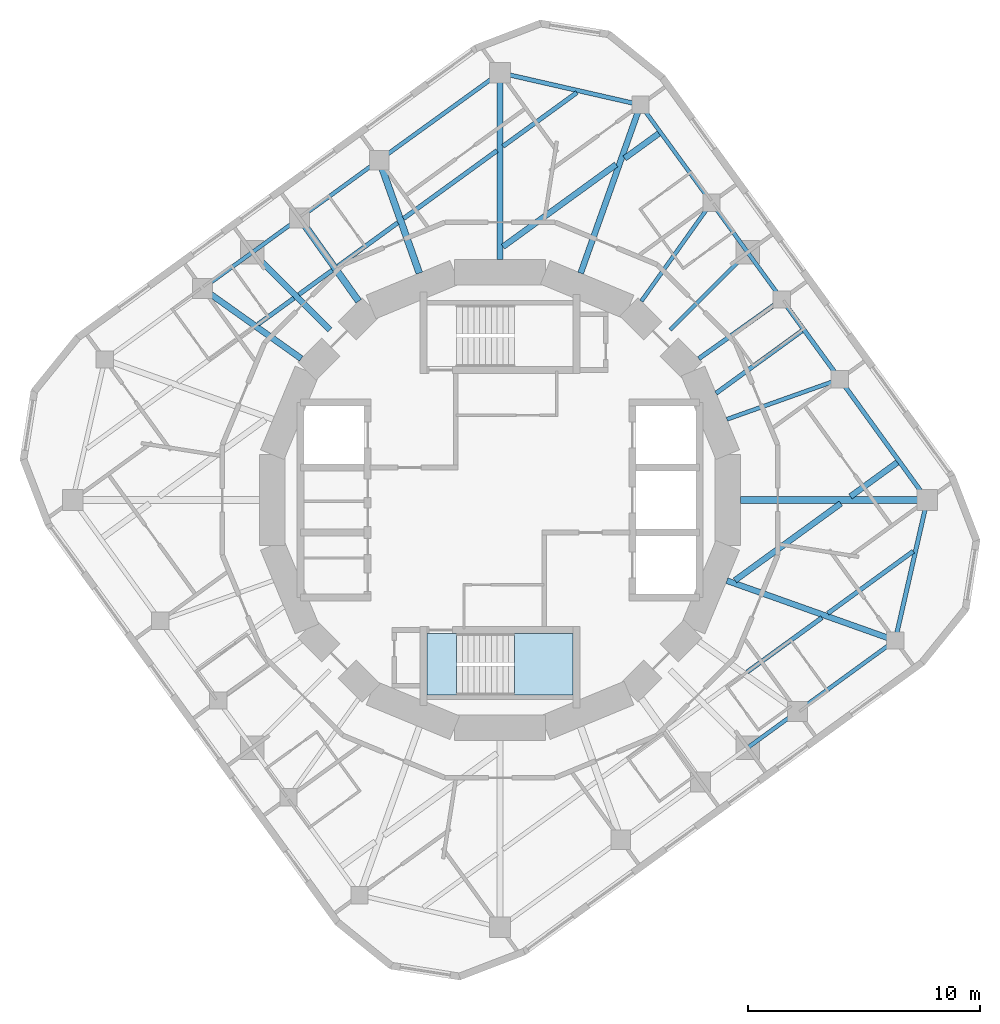
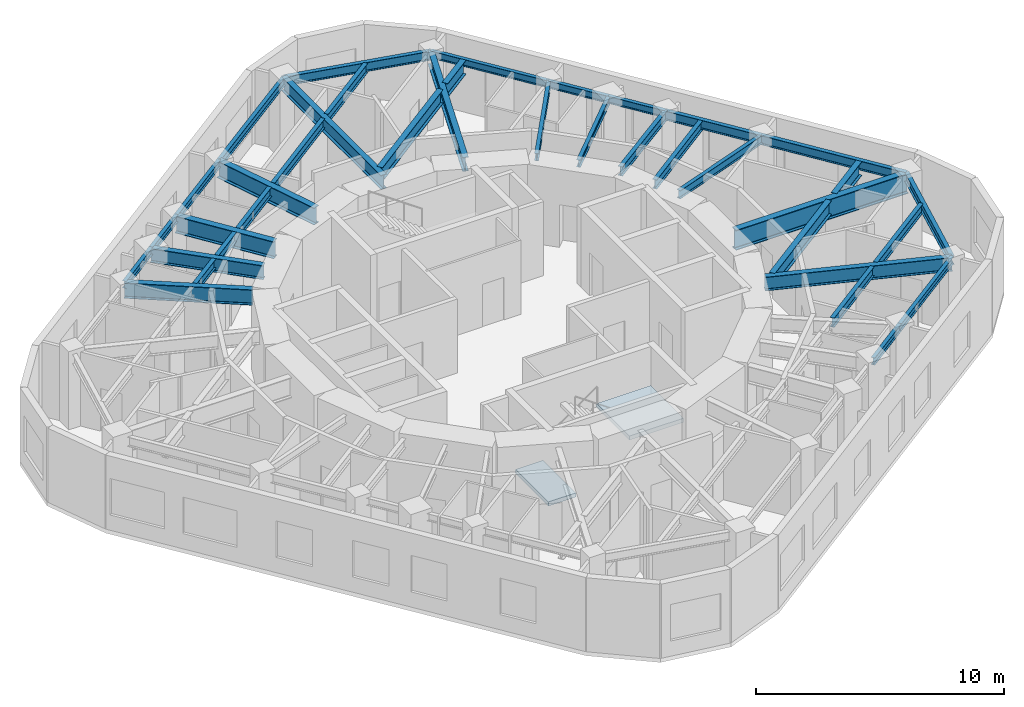
# One storey, part 2 of 9: 37 beams, 2 slabs, 1 element without a shape of its own.
"""IFC4 building model written with IfcOpenShell, lengths in metres."""

import ifcopenshell
import ifcopenshell.guid

model = None  # the IFC model being written
_history = None  # IfcOwnerHistory: only IFC2X3 demands one
_inside = {}  # id of a spatial element -> (the spatial element, [elements in it])
_under = {}  # id of a project, library or spatial element -> (it, [spatial elements below it])
_declared = {}  # id of a project -> (the project, [libraries it declares])
_typed = {}  # id of a type object -> (the type object, [elements of that type])
_made_of = {}  # id of a material, layer set ... -> (it, [elements and type objects made of it])


def new_model(schema):
    """Start an empty IFC model of exactly this schema.

    Asked for "IFC4X3", IfcOpenShell would pick the latest addendum, in which some entities
    have other attributes; the version numbers below select the first issue.
    IFC2X3 requires an IfcOwnerHistory on every rooted entity: one is made here for all.
    """
    global model, _history
    if schema == "IFC4X3":
        model = ifcopenshell.file(schema_version=(4, 3, 0, 0))
    else:
        model = ifcopenshell.file(schema=schema)
    _inside.clear()
    _under.clear()
    _declared.clear()
    _typed.clear()
    _made_of.clear()
    _history = None
    if model.schema == "IFC2X3":
        org = make("IfcOrganization", Name="unknown")
        user = make(
            "IfcPersonAndOrganization",
            ThePerson=make("IfcPerson", FamilyName="unknown"),
            TheOrganization=org,
        )
        app = make(
            "IfcApplication",
            ApplicationDeveloper=org,
            Version="unknown",
            ApplicationFullName="unknown",
            ApplicationIdentifier="unknown",
        )
        _history = make(
            "IfcOwnerHistory",
            OwningUser=user,
            OwningApplication=app,
            ChangeAction="ADDED",
            CreationDate=0,
        )
    return model


def make(cls, **values):
    """One entity of the class cls with the attributes given. An attribute that is None is left unset."""
    return model.create_entity(
        cls, **{name: value for name, value in values.items() if value is not None}
    )


def rooted(cls, **values):
    """An entity with a GlobalId (a new one), such as an element, a storey or a relation."""
    return make(cls, GlobalId=ifcopenshell.guid.new(), OwnerHistory=_history, **values)


def si_unit(unit_type, name, prefix=None):
    """IfcSIUnit, for example si_unit("LENGTHUNIT", "METRE", prefix="MILLI")."""
    return make("IfcSIUnit", UnitType=unit_type, Prefix=prefix, Name=name)


def assignment(units):
    """IfcUnitAssignment: the units of a project."""
    return None if units is None else make("IfcUnitAssignment", Units=units)


def point(xyz):
    """IfcCartesianPoint."""
    return None if xyz is None else make("IfcCartesianPoint", Coordinates=xyz)


def direction(xyz):
    """IfcDirection."""
    return None if xyz is None else make("IfcDirection", DirectionRatios=xyz)


def frame(location, z_axis=None, x_axis=None):
    """IfcAxis2Placement3D, a coordinate frame: its origin and axes. An axis left out is left unset."""
    return make(
        "IfcAxis2Placement3D",
        Location=point(location),
        Axis=direction(z_axis),
        RefDirection=direction(x_axis),
    )


def frame_2d(location, x_axis=None):
    """IfcAxis2Placement2D, a coordinate frame in the plane: its origin and x axis."""
    return make(
        "IfcAxis2Placement2D", Location=point(location), RefDirection=direction(x_axis)
    )


def origin():
    """The frame at (0, 0, 0) with its axes left unset."""
    return frame((0.0, 0.0, 0.0))


def origin_2d():
    """The frame at (0, 0) in the plane with its x axis left unset."""
    return frame_2d((0.0, 0.0))


def place(relative_to, where):
    """IfcLocalPlacement: puts the frame where relative to a parent placement (None: the world)."""
    return make(
        "IfcLocalPlacement", PlacementRelTo=relative_to, RelativePlacement=where
    )


def context(
    kind, dimensions, precision=None, world=None, true_north=None, identifier=None
):
    """IfcGeometricRepresentationContext, for example the 3D "Model" context."""
    return make(
        "IfcGeometricRepresentationContext",
        ContextIdentifier=identifier,
        ContextType=kind,
        CoordinateSpaceDimension=dimensions,
        Precision=precision,
        WorldCoordinateSystem=world,
        TrueNorth=true_north,
    )


def subcontext(parent, identifier, kind, view, scale=None):
    """IfcGeometricRepresentationSubContext, for example "Body" below "Model"."""
    return make(
        "IfcGeometricRepresentationSubContext",
        ContextIdentifier=identifier,
        ContextType=kind,
        ParentContext=parent,
        TargetScale=scale,
        TargetView=view,
    )


def project(units=None, contexts=None):
    """IfcProject with its units and contexts."""
    return rooted(
        "IfcProject",
        Name="project",
        RepresentationContexts=contexts,
        UnitsInContext=assignment(units),
    )


def spatial(cls, under=None, at=None, **own):
    """A site, building, storey or space (cls), placed at a placement, below another one or the project."""
    s = rooted(cls, ObjectPlacement=at, **own)
    if under is not None:
        _under.setdefault(under.id(), (under, []))[1].append(s)
    return s


def polyline(points):
    """IfcPolyline through the points."""
    return make("IfcPolyline", Points=[point(p) for p in points])


def profile(cls, at=None, kind="AREA", **sizes):
    """A parametric profile (cls). Its sizes go by their IFC names, for example OverallWidth=200.0."""
    return make(cls, ProfileType=kind, Position=at, **sizes)


def i_section(**sizes):
    """IfcIShapeProfileDef."""
    return profile("IfcIShapeProfileDef", **sizes)


def outline(outer, holes=None, kind="AREA"):
    """IfcArbitraryClosedProfileDef: a profile drawn as a closed curve; with holes, ...WithVoids."""
    if holes is None:
        return make("IfcArbitraryClosedProfileDef", ProfileType=kind, OuterCurve=outer)
    return make(
        "IfcArbitraryProfileDefWithVoids",
        ProfileType=kind,
        OuterCurve=outer,
        InnerCurves=holes,
    )


def extrude(swept, where, along, depth):
    """IfcExtrudedAreaSolid: the profile swept, set in the frame where, extruded along a direction by depth."""
    return make(
        "IfcExtrudedAreaSolid",
        SweptArea=swept,
        Position=where,
        ExtrudedDirection=direction(along),
        Depth=depth,
    )


def shape(context_of_items, identifier, shape_type, items):
    """IfcShapeRepresentation: the items that make up one representation, for example the "Body"."""
    return make(
        "IfcShapeRepresentation",
        ContextOfItems=context_of_items,
        RepresentationIdentifier=identifier,
        RepresentationType=shape_type,
        Items=items,
    )


def material(Name=None, Category=None):
    """IfcMaterial."""
    return make("IfcMaterial", Name=Name, Category=Category)


def layer(
    of_material, thickness, ventilated=None, Name=None, Category=None, Priority=None
):
    """IfcMaterialLayer: one layer of a wall or slab, of a material (None: an air gap)."""
    return make(
        "IfcMaterialLayer",
        Material=of_material,
        LayerThickness=thickness,
        IsVentilated=ventilated,
        Name=Name,
        Category=Category,
        Priority=Priority,
    )


def layer_set(layers, Name=None):
    """IfcMaterialLayerSet."""
    return make("IfcMaterialLayerSet", MaterialLayers=layers, LayerSetName=Name)


def material_profile(
    of_material, cross_section, Name=None, Category=None, Priority=None
):
    """IfcMaterialProfile: a cross section and its material."""
    return make(
        "IfcMaterialProfile",
        Name=Name,
        Material=of_material,
        Profile=cross_section,
        Priority=Priority,
        Category=Category,
    )


def profile_set(profiles, Name=None, composite=None):
    """IfcMaterialProfileSet."""
    return make(
        "IfcMaterialProfileSet",
        Name=Name,
        MaterialProfiles=profiles,
        CompositeProfile=composite,
    )


def made_of(thing, what):
    """Note that an element or type object is made of a material, layer set ...; save() writes the relation."""
    if what is not None:
        _made_of.setdefault(what.id(), (what, []))[1].append(thing)
    return thing


def type_object(cls, material=None, **own):
    """A type object (cls), such as IfcWallType, which elements share."""
    return made_of(rooted(cls, **own), material)


def element(
    cls,
    number,
    at=None,
    inside=None,
    cuts=None,
    type_object=None,
    material=None,
    context=None,
    identifier="Body",
    shape_type=None,
    held_by="IfcProductDefinitionShape",
    body=None,
    shapes=None,
    **own,
):
    """One element of the class cls, such as IfcWall. Its Tag is "e" and its number.

    at: its placement. inside: the storey or other place that contains it. cuts: it is an
    opening in that element (IfcRelVoidsElement). A single representation is given by context,
    identifier, shape_type and body (its items); several are given by shapes. held_by: the class
    of the entity that holds the representations. save() writes the other relations.
    """
    e = rooted(cls, Tag="e%d" % number, ObjectPlacement=at, **own)
    if body is not None:
        shapes = [shape(context, identifier, shape_type, body)]
    if shapes is not None:
        e.Representation = make(held_by, Representations=shapes)
    if inside is not None:
        _inside.setdefault(inside.id(), (inside, []))[1].append(e)
    if cuts is not None:
        rooted(
            "IfcRelVoidsElement", RelatingBuildingElement=cuts, RelatedOpeningElement=e
        )
    if type_object is not None:
        _typed.setdefault(type_object.id(), (type_object, []))[1].append(e)
    return made_of(e, material)


def aggregate(whole, parts):
    """IfcRelAggregates: a whole, such as a stair, and the parts it consists of."""
    return rooted("IfcRelAggregates", RelatingObject=whole, RelatedObjects=parts)


def save(model, path):
    """Write the relations noted so far, then the file.

    IfcRelAggregates (storeys below a building ...), IfcRelContainedInSpatialStructure (elements
    in a storey), IfcRelDefinesByType, IfcRelAssociatesMaterial and IfcRelDeclares: one each for
    every whole, place, type object, material and project.
    """
    for whole, parts in _under.values():
        aggregate(whole, parts)
    for where, things in _inside.values():
        rooted(
            "IfcRelContainedInSpatialStructure",
            RelatedElements=things,
            RelatingStructure=where,
        )
    for kind, things in _typed.values():
        rooted("IfcRelDefinesByType", RelatedObjects=things, RelatingType=kind)
    for what, things in _made_of.values():
        rooted("IfcRelAssociatesMaterial", RelatedObjects=things, RelatingMaterial=what)
    for by, libraries in _declared.values():
        rooted("IfcRelDeclares", RelatingContext=by, RelatedDefinitions=libraries)
    model.write(path)


model = new_model("IFC4")

# Units and contexts
model_context = context("Model", 3, precision=1e-05, world=origin(), true_north=direction((0.0, 1.0)))
body_context = subcontext(model_context, "Body", "Model", "MODEL_VIEW")
ifc_project = project(units=[si_unit("LENGTHUNIT", "METRE"), si_unit("AREAUNIT", "SQUARE_METRE"), si_unit("VOLUMEUNIT", "CUBIC_METRE"), si_unit("PLANEANGLEUNIT", "RADIAN"), si_unit("MASSUNIT", "GRAM", prefix="KILO")], contexts=[model_context])

# Site, building, storey
site_placement = place(None, origin())
site = spatial("IfcSite", under=ifc_project, at=site_placement, CompositionType="ELEMENT")
building_placement = place(site_placement, origin())
building = spatial("IfcBuilding", under=site, at=building_placement, Name="Nakasero Lantern House", CompositionType="ELEMENT")
storey_placement = place(building_placement, frame((0.0, 0.0, 290.699951171875)))
storey = spatial("IfcBuildingStorey", under=building, at=storey_placement, Name="L71", CompositionType="ELEMENT", Elevation=290.699951171875)

# Beams
ifc_material_1 = material(Name="Steel S355", Category="steel")
ifc_material_profile_1 = material_profile(ifc_material_1, i_section(OverallWidth=0.19140625, OverallDepth=0.4599609375, WebThickness=0.010009765625, FlangeThickness=0.01611328125, FilletRadius=0.01025390625, at=origin_2d()), Name="UB 457x191x82")
ifc_profile_set_1 = profile_set([ifc_material_profile_1], Name="Steel S355")
beam_type_1 = type_object("IfcBeamType", Name="Infill beam UB 457x191x82", PredefinedType="JOIST", material=ifc_profile_set_1)
beam_1_placement = place(storey_placement, frame((10.6416015625, -7.410400390625, 3.420166015625), z_axis=(0.809000670398, 0.587807719663, 0.0), x_axis=(-0.587807719663, 0.809000670398, 0.0)))
element("IfcBeam", 1, at=beam_1_placement, inside=storey, type_object=beam_type_1, Name="Infill beam L72 03.6", PredefinedType="JOIST", context=body_context, shape_type="SweptSolid", body=[
    extrude(i_section(OverallWidth=0.19140625, OverallDepth=0.4599609375, WebThickness=0.010009765625, FlangeThickness=0.01611328125, FilletRadius=0.01025390625, at=origin_2d()), origin(), (0.0, 0.0, 1.0), 3.989013671875),
])
beam_2_placement = place(storey_placement, frame((14.117431640625, -4.885009765625, 3.420166015625), z_axis=(0.80901210161, 0.587791986546, 0.0), x_axis=(-0.587791986546, 0.80901210161, 0.0)))
element("IfcBeam", 2, at=beam_2_placement, inside=storey, type_object=beam_type_1, Name="Infill beam L72 03.7", PredefinedType="JOIST", context=body_context, shape_type="SweptSolid", body=[
    extrude(i_section(OverallWidth=0.19140625, OverallDepth=0.4599609375, WebThickness=0.010009765625, FlangeThickness=0.01611328125, FilletRadius=0.01025390625, at=origin_2d()), origin(), (0.0, 0.0, 1.0), 4.55029296875),
])
beam_3_placement = place(storey_placement, frame((9.306396484375, 4.598388671875, 3.420166015625), z_axis=(0.809017640959, 0.587784362344, 0.0), x_axis=(-0.587784362344, 0.809017640959, 0.0)))
element("IfcBeam", 3, at=beam_3_placement, inside=storey, type_object=beam_type_1, Name="Infill beam L72 06.1", PredefinedType="JOIST", context=body_context, shape_type="SweptSolid", body=[
    extrude(i_section(OverallWidth=0.19140625, OverallDepth=0.4599609375, WebThickness=0.010009765625, FlangeThickness=0.01611328125, FilletRadius=0.01025390625, at=origin_2d()), origin(), (0.0, 0.0, 1.0), 4.572998046875),
])
beam_4_placement = place(storey_placement, frame((-10.41845703125, 7.572265625, 3.420166015625), z_axis=(0.809012638294, 0.587791247877, 0.0), x_axis=(-0.587791247877, 0.809012638294, 0.0)))
element("IfcBeam", 4, at=beam_4_placement, inside=storey, type_object=beam_type_1, Name="Infill beam L72 10.3", PredefinedType="JOIST", context=body_context, shape_type="SweptSolid", body=[
    extrude(i_section(OverallWidth=0.19140625, OverallDepth=0.4599609375, WebThickness=0.010009765625, FlangeThickness=0.01611328125, FilletRadius=0.01025390625, at=origin_2d()), origin(), (0.0, 0.0, 1.0), 1.908203125),
])
beam_5_placement = place(storey_placement, frame((-8.665283203125, 8.84619140625, 3.420166015625), z_axis=(0.809060510352, 0.587725353025, 0.0), x_axis=(-0.587725353025, 0.809060510352, 0.0)))
element("IfcBeam", 5, at=beam_5_placement, inside=storey, type_object=beam_type_1, Name="Infill beam L72 10.4", PredefinedType="JOIST", context=body_context, shape_type="SweptSolid", body=[
    extrude(i_section(OverallWidth=0.19140625, OverallDepth=0.4599609375, WebThickness=0.010009765625, FlangeThickness=0.01611328125, FilletRadius=0.01025390625, at=origin_2d()), origin(), (0.0, 0.0, 1.0), 1.7890625),
])
beam_6_placement = place(storey_placement, frame((-6.981201171875, 10.069580078125, 3.420166015625), z_axis=(0.809014147131, 0.587789171167, 0.0), x_axis=(-0.587789171167, 0.809014147131, 0.0)))
element("IfcBeam", 6, at=beam_6_placement, inside=storey, type_object=beam_type_1, Name="Infill beam L72 10.5", PredefinedType="JOIST", context=body_context, shape_type="SweptSolid", body=[
    extrude(i_section(OverallWidth=0.19140625, OverallDepth=0.4599609375, WebThickness=0.010009765625, FlangeThickness=0.01611328125, FilletRadius=0.01025390625, at=origin_2d()), origin(), (0.0, 0.0, 1.0), 3.188232421875),
])
beam_7_placement = place(storey_placement, frame((-4.1552734375, 12.122802734375, 3.420166015625), z_axis=(0.809018056479, 0.587783790428, 0.0), x_axis=(-0.587783790428, 0.809018056479, 0.0)))
element("IfcBeam", 7, at=beam_7_placement, inside=storey, type_object=beam_type_1, Name="Infill beam L72 10.6", PredefinedType="JOIST", context=body_context, shape_type="SweptSolid", body=[
    extrude(i_section(OverallWidth=0.19140625, OverallDepth=0.4599609375, WebThickness=0.010009765625, FlangeThickness=0.01611328125, FilletRadius=0.01025390625, at=origin_2d()), origin(), (0.0, 0.0, 1.0), 4.97802734375),
])
beam_8_placement = place(storey_placement, frame((0.1279296875, 15.23486328125, 3.420166015625), z_axis=(0.809028442836, 0.587769494515, 0.0), x_axis=(-0.587769494515, 0.809028442836, 0.0)))
element("IfcBeam", 8, at=beam_8_placement, inside=storey, type_object=beam_type_1, Name="Infill beam L72 10.7", PredefinedType="JOIST", context=body_context, shape_type="SweptSolid", body=[
    extrude(i_section(OverallWidth=0.19140625, OverallDepth=0.4599609375, WebThickness=0.010009765625, FlangeThickness=0.01611328125, FilletRadius=0.01025390625, at=origin_2d()), origin(), (0.0, 0.0, 1.0), 3.934814453125),
])
ifc_material_2 = material(Name="Steel S355", Category="steel")
ifc_material_profile_2 = material_profile(ifc_material_2, i_section(OverallWidth=0.255859375, OverallDepth=0.69287109375, WebThickness=0.014404296875, FlangeThickness=0.023681640625, FilletRadius=0.01513671875, at=origin_2d()), Name="UB 686x254x170")
ifc_profile_set_2 = profile_set([ifc_material_profile_2], Name="Steel S355")
beam_type_2 = type_object("IfcBeamType", Name="Infill beam UB 686x254x170", PredefinedType="JOIST", material=ifc_profile_set_2)
beam_9_placement = place(storey_placement, frame((10.119384765625, -3.46337890625, 3.3037109375), z_axis=(0.809013172462, 0.587790512669, 0.0), x_axis=(-0.587790512669, 0.809013172462, 0.0)))
element("IfcBeam", 9, at=beam_9_placement, inside=storey, type_object=beam_type_2, Name="Infill beam L72 04.3", PredefinedType="JOIST", context=body_context, shape_type="SweptSolid", body=[
    extrude(i_section(OverallWidth=0.255859375, OverallDepth=0.69287109375, WebThickness=0.014404296875, FlangeThickness=0.023681640625, FilletRadius=0.01513671875, at=origin_2d()), origin(), (0.0, 0.0, 1.0), 5.63720703125),
])
beam_10_placement = place(storey_placement, frame((15.0927734375, 0.14990234375, 3.3037109375), z_axis=(0.809015124384, 0.587787826106, 0.0), x_axis=(-0.587787826106, 0.809015124384, 0.0)))
element("IfcBeam", 10, at=beam_10_placement, inside=storey, type_object=beam_type_2, Name="Infill beam L72 04.4", PredefinedType="JOIST", context=body_context, shape_type="SweptSolid", body=[
    extrude(i_section(OverallWidth=0.255859375, OverallDepth=0.69287109375, WebThickness=0.014404296875, FlangeThickness=0.023681640625, FilletRadius=0.01513671875, at=origin_2d()), origin(), (0.0, 0.0, 1.0), 2.496337890625),
])
beam_11_placement = place(storey_placement, frame((0.1279296875, 10.908447265625, 3.3037109375), z_axis=(0.809011117524, 0.587793340998, 0.0), x_axis=(-0.587793340998, 0.809011117524, 0.0)))
element("IfcBeam", 11, at=beam_11_placement, inside=storey, type_object=beam_type_2, Name="Infill beam L72 09.3", PredefinedType="JOIST", context=body_context, shape_type="SweptSolid", body=[
    extrude(i_section(OverallWidth=0.255859375, OverallDepth=0.69287109375, WebThickness=0.014404296875, FlangeThickness=0.023681640625, FilletRadius=0.01513671875, at=origin_2d()), origin(), (0.0, 0.0, 1.0), 6.024658203125),
])
beam_12_placement = place(storey_placement, frame((5.367919921875, 14.715576171875, 3.3037109375), z_axis=(0.809025740158, 0.587773214566, 0.0), x_axis=(-0.587773214566, 0.809025740158, 0.0)))
element("IfcBeam", 12, at=beam_12_placement, inside=storey, type_object=beam_type_2, Name="Infill beam L72 09.4", PredefinedType="JOIST", context=body_context, shape_type="SweptSolid", body=[
    extrude(i_section(OverallWidth=0.255859375, OverallDepth=0.69287109375, WebThickness=0.014404296875, FlangeThickness=0.023681640625, FilletRadius=0.01513671875, at=origin_2d()), origin(), (0.0, 0.0, 1.0), 1.82177734375),
])
ifc_material_3 = material(Name="Steel S355", Category="steel")
ifc_material_profile_3 = material_profile(ifc_material_3, i_section(OverallWidth=0.300048828125, OverallDepth=0.989990234375, WebThickness=0.0166015625, FlangeThickness=0.031005859375, FilletRadius=0.030029296875, at=origin_2d()), Name="UB 1016x305x272")
ifc_profile_set_3 = profile_set([ifc_material_profile_3], Name="Steel S355")
beam_type_3 = type_object("IfcBeamType", Name="Primary beam UB 1016x305x272, span 6 to 9 m", PredefinedType="BEAM", material=ifc_profile_set_3)
beam_13_placement = place(storey_placement, frame((18.39990234375, 0.0, 3.155029296875), z_axis=(-1.0, 0.0, 0.0), x_axis=(0.0, -1.0, 0.0)))
element("IfcBeam", 13, at=beam_13_placement, inside=storey, type_object=beam_type_3, Name="Primary beam L72 B7-C03", PredefinedType="BEAM", context=body_context, shape_type="SweptSolid", body=[
    extrude(i_section(OverallWidth=0.300048828125, OverallDepth=0.989990234375, WebThickness=0.0166015625, FlangeThickness=0.031005859375, FilletRadius=0.030029296875, at=origin_2d()), origin(), (0.0, 0.0, 1.0), 8.0419921875),
])
ifc_material_4 = material(Name="Steel S355", Category="steel")
ifc_material_profile_4 = material_profile(ifc_material_4, i_section(OverallWidth=0.17138671875, OverallDepth=0.35498046875, WebThickness=0.00732421875, FlangeThickness=0.011474609375, FilletRadius=0.01025390625, at=origin_2d()), Name="UB 356x171x51")
ifc_profile_set_4 = profile_set([ifc_material_profile_4], Name="Steel S355")
beam_type_4 = type_object("IfcBeamType", Name="Primary beam UB 356x171x51, span to 6 m", PredefinedType="BEAM", material=ifc_profile_set_4)
beam_14_placement = place(storey_placement, frame((10.667236328125, 10.667236328125, 3.47265625), z_axis=(-0.707106781187, -0.707106781187, 0.0), x_axis=(0.707106781187, -0.707106781187, 0.0)))
element("IfcBeam", 14, at=beam_14_placement, inside=storey, type_object=beam_type_4, Name="Primary beam L72 B7-C06", PredefinedType="BEAM", context=body_context, shape_type="SweptSolid", body=[
    extrude(i_section(OverallWidth=0.17138671875, OverallDepth=0.35498046875, WebThickness=0.00732421875, FlangeThickness=0.011474609375, FilletRadius=0.01025390625, at=origin_2d()), origin(), (0.0, 0.0, 1.0), 4.727783203125),
])
beam_15_placement = place(storey_placement, frame((9.10986328125, 12.810791015625, 3.47265625), z_axis=(-0.579500985986, -0.814971537688, 0.0), x_axis=(0.814971537688, -0.579500985986, 0.0)))
element("IfcBeam", 15, at=beam_15_placement, inside=storey, type_object=beam_type_4, Name="Primary beam L72 B7-C07", PredefinedType="BEAM", context=body_context, shape_type="SweptSolid", body=[
    extrude(i_section(OverallWidth=0.17138671875, OverallDepth=0.35498046875, WebThickness=0.00732421875, FlangeThickness=0.011474609375, FilletRadius=0.01025390625, at=origin_2d()), origin(), (0.0, 0.0, 1.0), 5.215087890625),
])
ifc_material_5 = material(Name="Steel S355", Category="steel")
ifc_material_profile_5 = material_profile(ifc_material_5, i_section(OverallWidth=0.177978515625, OverallDepth=0.406494140625, WebThickness=0.0078125, FlangeThickness=0.0126953125, FilletRadius=0.01025390625, at=origin_2d()), Name="UB 406x178x60")
ifc_profile_set_5 = profile_set([ifc_material_profile_5], Name="Steel S355")
beam_type_5 = type_object("IfcBeamType", Name="Primary beam UB 406x178x60, span to 6 m", PredefinedType="BEAM", material=ifc_profile_set_5)
beam_16_placement = place(storey_placement, frame((14.636474609375, 5.2041015625, 3.44677734375), z_axis=(-0.942221324153, -0.3349910093, 0.0), x_axis=(0.3349910093, -0.942221324153, 0.0)))
element("IfcBeam", 16, at=beam_16_placement, inside=storey, type_object=beam_type_5, Name="Primary beam L72 B7-C04", PredefinedType="BEAM", context=body_context, shape_type="SweptSolid", body=[
    extrude(i_section(OverallWidth=0.177978515625, OverallDepth=0.406494140625, WebThickness=0.0078125, FlangeThickness=0.0126953125, FilletRadius=0.01025390625, at=origin_2d()), origin(), (0.0, 0.0, 1.0), 5.162841796875),
])
ifc_material_6 = material(Name="Steel S355", Category="steel")
ifc_material_profile_6 = material_profile(ifc_material_6, i_section(OverallWidth=0.19140625, OverallDepth=0.4599609375, WebThickness=0.010009765625, FlangeThickness=0.01611328125, FilletRadius=0.01025390625, at=origin_2d()), Name="UB 457x191x82")
ifc_profile_set_6 = profile_set([ifc_material_profile_6], Name="Steel S355")
beam_type_6 = type_object("IfcBeamType", Name="Primary beam UB 457x191x82, span to 6 m", PredefinedType="BEAM", material=ifc_profile_set_6)
beam_17_placement = place(storey_placement, frame((12.1435546875, 8.63525390625, 3.420166015625), z_axis=(-0.814988544116, -0.579477068537, 0.0), x_axis=(0.579477068537, -0.814988544116, 0.0)))
element("IfcBeam", 17, at=beam_17_placement, inside=storey, type_object=beam_type_6, Name="Primary beam L72 B7-C05", PredefinedType="BEAM", context=body_context, shape_type="SweptSolid", body=[
    extrude(i_section(OverallWidth=0.19140625, OverallDepth=0.4599609375, WebThickness=0.010009765625, FlangeThickness=0.01611328125, FilletRadius=0.01025390625, at=origin_2d()), origin(), (0.0, 0.0, 1.0), 4.396484375),
])
ifc_material_7 = material(Name="Steel S355", Category="steel")
ifc_material_profile_7 = material_profile(ifc_material_7, i_section(OverallWidth=0.253662109375, OverallDepth=0.68359375, WebThickness=0.012451171875, FlangeThickness=0.01904296875, FilletRadius=0.01513671875, at=origin_2d()), Name="UB 686x254x140")
ifc_profile_set_7 = profile_set([ifc_material_profile_7], Name="Steel S355")
beam_type_7 = type_object("IfcBeamType", Name="Primary beam UB 686x254x140, span 6 to 9 m", PredefinedType="BEAM", material=ifc_profile_set_7)
beam_18_placement = place(storey_placement, frame((17.02001953125, -6.051513671875, 3.308349609375), z_axis=(-0.942222036561, 0.334989005521, 0.0), x_axis=(-0.334989005521, -0.942222036561, 0.0)))
element("IfcBeam", 18, at=beam_18_placement, inside=storey, type_object=beam_type_7, Name="Primary beam L72 B7-C02", PredefinedType="BEAM", context=body_context, shape_type="SweptSolid", body=[
    extrude(i_section(OverallWidth=0.253662109375, OverallDepth=0.68359375, WebThickness=0.012451171875, FlangeThickness=0.01904296875, FilletRadius=0.01513671875, at=origin_2d()), origin(), (0.0, 0.0, 1.0), 7.6923828125),
])
ifc_material_8 = material(Name="Steel S355", Category="steel")
ifc_material_profile_8 = material_profile(ifc_material_8, i_section(OverallWidth=0.255859375, OverallDepth=0.69287109375, WebThickness=0.014404296875, FlangeThickness=0.023681640625, FilletRadius=0.01513671875, at=origin_2d()), Name="UB 686x254x170")
ifc_profile_set_8 = profile_set([ifc_material_profile_8], Name="Steel S355")
beam_type_8 = type_object("IfcBeamType", Name="Primary beam UB 686x254x170, span 6 to 9 m", PredefinedType="BEAM", material=ifc_profile_set_8)
beam_19_placement = place(storey_placement, frame((6.051513671875, 17.02001953125, 3.3037109375), z_axis=(-0.334989005521, -0.942222036561, 0.0), x_axis=(0.942222036561, -0.334989005521, 0.0)))
element("IfcBeam", 19, at=beam_19_placement, inside=storey, type_object=beam_type_8, Name="Primary beam L72 B7-C08", PredefinedType="BEAM", context=body_context, shape_type="SweptSolid", body=[
    extrude(i_section(OverallWidth=0.255859375, OverallDepth=0.69287109375, WebThickness=0.014404296875, FlangeThickness=0.023681640625, FilletRadius=0.01513671875, at=origin_2d()), origin(), (0.0, 0.0, 1.0), 7.6923828125),
])
beam_20_placement = place(storey_placement, frame((0.0, 18.39990234375, 3.3037109375), z_axis=(0.0, -1.0, 0.0), x_axis=(1.0, 0.0, 0.0)))
element("IfcBeam", 20, at=beam_20_placement, inside=storey, type_object=beam_type_8, Name="Primary beam L72 B7-C09", PredefinedType="BEAM", context=body_context, shape_type="SweptSolid", body=[
    extrude(i_section(OverallWidth=0.255859375, OverallDepth=0.69287109375, WebThickness=0.014404296875, FlangeThickness=0.023681640625, FilletRadius=0.01513671875, at=origin_2d()), origin(), (0.0, 0.0, 1.0), 8.0419921875),
])
ifc_material_9 = material(Name="Steel S355", Category="steel")
ifc_material_profile_9 = material_profile(ifc_material_9, i_section(OverallWidth=0.255859375, OverallDepth=0.69287109375, WebThickness=0.014404296875, FlangeThickness=0.023681640625, FilletRadius=0.01513671875, at=origin_2d()), Name="UB 686x254x170")
ifc_profile_set_9 = profile_set([ifc_material_profile_9], Name="Steel S355")
beam_type_9 = type_object("IfcBeamType", Name="Primary beam UB 686x254x170, span to 6 m", PredefinedType="BEAM", material=ifc_profile_set_9)
beam_21_placement = place(storey_placement, frame((-10.667236328125, 10.667236328125, 3.3037109375), z_axis=(0.707106781187, -0.707106781187, 0.0), x_axis=(0.707106781187, 0.707106781187, 0.0)))
element("IfcBeam", 21, at=beam_21_placement, inside=storey, type_object=beam_type_9, Name="Primary beam L72 B7-C12", PredefinedType="BEAM", context=body_context, shape_type="SweptSolid", body=[
    extrude(i_section(OverallWidth=0.255859375, OverallDepth=0.69287109375, WebThickness=0.014404296875, FlangeThickness=0.023681640625, FilletRadius=0.01513671875, at=origin_2d()), origin(), (0.0, 0.0, 1.0), 4.727783203125),
])
ifc_material_10 = material(Name="Steel S355", Category="steel")
ifc_material_profile_10 = material_profile(ifc_material_10, i_section(OverallWidth=0.2666015625, OverallDepth=0.76220703125, WebThickness=0.014404296875, FlangeThickness=0.021484375, FilletRadius=0.0166015625, at=origin_2d()), Name="UB 762x267x173")
ifc_profile_set_10 = profile_set([ifc_material_profile_10], Name="Steel S355")
beam_type_10 = type_object("IfcBeamType", Name="Primary beam UB 762x267x173, span to 6 m", PredefinedType="BEAM", material=ifc_profile_set_10)
beam_22_placement = place(storey_placement, frame((-12.810791015625, 9.10986328125, 3.26904296875), z_axis=(0.814971537688, -0.579500985986, 0.0), x_axis=(0.579500985986, 0.814971537688, 0.0)))
element("IfcBeam", 22, at=beam_22_placement, inside=storey, type_object=beam_type_10, Name="Primary beam L72 B7-C13", PredefinedType="BEAM", context=body_context, shape_type="SweptSolid", body=[
    extrude(i_section(OverallWidth=0.2666015625, OverallDepth=0.76220703125, WebThickness=0.014404296875, FlangeThickness=0.021484375, FilletRadius=0.0166015625, at=origin_2d()), origin(), (0.0, 0.0, 1.0), 5.215087890625),
])
ifc_material_11 = material(Name="Steel S355", Category="steel")
ifc_material_profile_11 = material_profile(ifc_material_11, i_section(OverallWidth=0.29248046875, OverallDepth=0.8408203125, WebThickness=0.0146484375, FlangeThickness=0.02685546875, FilletRadius=0.017822265625, at=origin_2d()), Name="UB 838x292x194")
ifc_profile_set_11 = profile_set([ifc_material_profile_11], Name="Steel S355")
beam_type_11 = type_object("IfcBeamType", Name="Primary beam UB 838x292x194, span to 6 m", PredefinedType="BEAM", material=ifc_profile_set_11)
beam_23_placement = place(storey_placement, frame((-5.2041015625, 14.636474609375, 3.229736328125), z_axis=(0.3349910093, -0.942221324153, 0.0), x_axis=(0.942221324153, 0.3349910093, 0.0)))
element("IfcBeam", 23, at=beam_23_placement, inside=storey, type_object=beam_type_11, Name="Primary beam L72 B7-C10", PredefinedType="BEAM", context=body_context, shape_type="SweptSolid", body=[
    extrude(i_section(OverallWidth=0.29248046875, OverallDepth=0.8408203125, WebThickness=0.0146484375, FlangeThickness=0.02685546875, FilletRadius=0.017822265625, at=origin_2d()), origin(), (0.0, 0.0, 1.0), 5.162841796875),
])
beam_24_placement = place(storey_placement, frame((-8.63525390625, 12.1435546875, 3.229736328125), z_axis=(0.579477068537, -0.814988544116, 0.0), x_axis=(0.814988544116, 0.579477068537, 0.0)))
element("IfcBeam", 24, at=beam_24_placement, inside=storey, type_object=beam_type_11, Name="Primary beam L72 B7-C11", PredefinedType="BEAM", context=body_context, shape_type="SweptSolid", body=[
    extrude(i_section(OverallWidth=0.29248046875, OverallDepth=0.8408203125, WebThickness=0.0146484375, FlangeThickness=0.02685546875, FilletRadius=0.017822265625, at=origin_2d()), origin(), (0.0, 0.0, 1.0), 4.396484375),
])
ifc_material_12 = material(Name="Steel S355", Category="steel")
ifc_material_profile_12 = material_profile(ifc_material_12, i_section(OverallWidth=0.17138671875, OverallDepth=0.35498046875, WebThickness=0.00732421875, FlangeThickness=0.011474609375, FilletRadius=0.01025390625, at=origin_2d()), Name="UB 356x171x51")
ifc_profile_set_12 = profile_set([ifc_material_profile_12], Name="Steel S355")
beam_type_12 = type_object("IfcBeamType", Name="Ring beam UB 356x171x51", PredefinedType="BEAM", material=ifc_profile_set_12)
beam_25_placement = place(storey_placement, frame((12.810791015625, -9.10986328125, 3.47265625), z_axis=(0.809001814948, 0.587806144414, 0.0), x_axis=(-0.587806144414, 0.809001814948, 0.0)))
element("IfcBeam", 25, at=beam_25_placement, inside=storey, type_object=beam_type_12, Name="Ring beam L72 B7-C01", PredefinedType="BEAM", context=body_context, shape_type="SweptSolid", body=[
    extrude(i_section(OverallWidth=0.17138671875, OverallDepth=0.35498046875, WebThickness=0.00732421875, FlangeThickness=0.011474609375, FilletRadius=0.01025390625, at=origin_2d()), origin(), (0.0, 0.0, 1.0), 5.202880859375),
])
beam_26_placement = place(storey_placement, frame((12.1435546875, 8.63525390625, 3.47265625), z_axis=(-0.58778439593, 0.809017616558, 0.0), x_axis=(-0.809017616558, -0.58778439593, 0.0)))
element("IfcBeam", 26, at=beam_26_placement, inside=storey, type_object=beam_type_12, Name="Ring beam L72 B7-C05", PredefinedType="BEAM", context=body_context, shape_type="SweptSolid", body=[
    extrude(i_section(OverallWidth=0.17138671875, OverallDepth=0.35498046875, WebThickness=0.00732421875, FlangeThickness=0.011474609375, FilletRadius=0.01025390625, at=origin_2d()), origin(), (0.0, 0.0, 1.0), 2.51171875),
])
beam_27_placement = place(storey_placement, frame((10.667236328125, 10.667236328125, 3.47265625), z_axis=(-0.587782635143, 0.809018895839, 0.0), x_axis=(-0.809018895839, -0.587782635143, 0.0)))
element("IfcBeam", 27, at=beam_27_placement, inside=storey, type_object=beam_type_12, Name="Ring beam L72 B7-C06", PredefinedType="BEAM", context=body_context, shape_type="SweptSolid", body=[
    extrude(i_section(OverallWidth=0.17138671875, OverallDepth=0.35498046875, WebThickness=0.00732421875, FlangeThickness=0.011474609375, FilletRadius=0.01025390625, at=origin_2d()), origin(), (0.0, 0.0, 1.0), 2.649658203125),
])
beam_28_placement = place(storey_placement, frame((9.10986328125, 12.810791015625, 3.47265625), z_axis=(-0.587806144414, 0.809001814948, 0.0), x_axis=(-0.809001814948, -0.587806144414, 0.0)))
element("IfcBeam", 28, at=beam_28_placement, inside=storey, type_object=beam_type_12, Name="Ring beam L72 B7-C07", PredefinedType="BEAM", context=body_context, shape_type="SweptSolid", body=[
    extrude(i_section(OverallWidth=0.17138671875, OverallDepth=0.35498046875, WebThickness=0.00732421875, FlangeThickness=0.011474609375, FilletRadius=0.01025390625, at=origin_2d()), origin(), (0.0, 0.0, 1.0), 5.202880859375),
])
beam_29_placement = place(storey_placement, frame((-5.2041015625, 14.636474609375, 3.47265625), z_axis=(-0.809012304944, -0.587791706687, 0.0), x_axis=(0.587791706687, -0.809012304944, 0.0)))
element("IfcBeam", 29, at=beam_29_placement, inside=storey, type_object=beam_type_12, Name="Ring beam L72 B7-C10", PredefinedType="BEAM", context=body_context, shape_type="SweptSolid", body=[
    extrude(i_section(OverallWidth=0.17138671875, OverallDepth=0.35498046875, WebThickness=0.00732421875, FlangeThickness=0.011474609375, FilletRadius=0.01025390625, at=origin_2d()), origin(), (0.0, 0.0, 1.0), 4.2412109375),
])
beam_30_placement = place(storey_placement, frame((-8.63525390625, 12.1435546875, 3.47265625), z_axis=(-0.809017616558, -0.58778439593, 0.0), x_axis=(0.58778439593, -0.809017616558, 0.0)))
element("IfcBeam", 30, at=beam_30_placement, inside=storey, type_object=beam_type_12, Name="Ring beam L72 B7-C11", PredefinedType="BEAM", context=body_context, shape_type="SweptSolid", body=[
    extrude(i_section(OverallWidth=0.17138671875, OverallDepth=0.35498046875, WebThickness=0.00732421875, FlangeThickness=0.011474609375, FilletRadius=0.01025390625, at=origin_2d()), origin(), (0.0, 0.0, 1.0), 2.51171875),
])
for number, where, z_axis, x_axis, name in (
    (31, (-10.667236328125, 10.667236328125, 3.47265625), (-0.809018895839, -0.587782635143, 0.0), (0.587782635143, -0.809018895839, 0.0), "Ring beam L72 B7-C12"),
    (32, (10.667236328125, -10.667236328125, 3.47265625), (0.809018895839, 0.587782635143, 0.0), (-0.587782635143, 0.809018895839, 0.0), "Ring beam L72 B7-C24"),
):
    element("IfcBeam", number, at=place(storey_placement, frame(where, z_axis=z_axis, x_axis=x_axis)), inside=storey, type_object=beam_type_12, Name=name, PredefinedType="BEAM", context=body_context, shape_type="SweptSolid", body=[
        extrude(i_section(OverallWidth=0.17138671875, OverallDepth=0.35498046875, WebThickness=0.00732421875, FlangeThickness=0.011474609375, FilletRadius=0.01025390625, at=origin_2d()), origin(), (0.0, 0.0, 1.0), 2.649658203125),
    ])
ifc_material_13 = material(Name="Steel S355", Category="steel")
ifc_material_profile_13 = material_profile(ifc_material_13, i_section(OverallWidth=0.177978515625, OverallDepth=0.406494140625, WebThickness=0.0078125, FlangeThickness=0.0126953125, FilletRadius=0.01025390625, at=origin_2d()), Name="UB 406x178x60")
ifc_profile_set_13 = profile_set([ifc_material_profile_13], Name="Steel S355")
beam_type_13 = type_object("IfcBeamType", Name="Ring beam UB 406x178x60", PredefinedType="BEAM", material=ifc_profile_set_13)
beam_31_placement = place(storey_placement, frame((0.0, 18.39990234375, 3.44677734375), z_axis=(-0.810316200404, -0.58599287996, 0.0), x_axis=(0.58599287996, -0.810316200404, 0.0)))
element("IfcBeam", 33, at=beam_31_placement, inside=storey, type_object=beam_type_13, Name="Ring beam L72 B7-C09", PredefinedType="BEAM", context=body_context, shape_type="SweptSolid", body=[
    extrude(i_section(OverallWidth=0.177978515625, OverallDepth=0.406494140625, WebThickness=0.0078125, FlangeThickness=0.0126953125, FilletRadius=0.01025390625, at=origin_2d()), origin(), (0.0, 0.0, 1.0), 6.42236328125),
])
ifc_material_14 = material(Name="Steel S355", Category="steel")
ifc_material_profile_14 = material_profile(ifc_material_14, i_section(OverallWidth=0.18994140625, OverallDepth=0.453369140625, WebThickness=0.008544921875, FlangeThickness=0.0126953125, FilletRadius=0.01025390625, at=origin_2d()), Name="UB 457x191x67")
ifc_profile_set_14 = profile_set([ifc_material_profile_14], Name="Steel S355")
beam_type_14 = type_object("IfcBeamType", Name="Ring beam UB 457x191x67", PredefinedType="BEAM", material=ifc_profile_set_14)
beam_32_placement = place(storey_placement, frame((17.02001953125, -6.051513671875, 3.42333984375), z_axis=(0.222316387753, 0.974974575944, 0.0), x_axis=(-0.974974575944, 0.222316387753, 0.0)))
element("IfcBeam", 34, at=beam_32_placement, inside=storey, type_object=beam_type_14, Name="Ring beam L72 B7-C02", PredefinedType="BEAM", context=body_context, shape_type="SweptSolid", body=[
    extrude(i_section(OverallWidth=0.18994140625, OverallDepth=0.453369140625, WebThickness=0.008544921875, FlangeThickness=0.0126953125, FilletRadius=0.01025390625, at=origin_2d()), origin(), (0.0, 0.0, 1.0), 6.206787109375),
])
beam_33_placement = place(storey_placement, frame((14.636474609375, 5.2041015625, 3.42333984375), z_axis=(-0.587791706687, 0.809012304944, 0.0), x_axis=(-0.809012304944, -0.587791706687, 0.0)))
element("IfcBeam", 35, at=beam_33_placement, inside=storey, type_object=beam_type_14, Name="Ring beam L72 B7-C04", PredefinedType="BEAM", context=body_context, shape_type="SweptSolid", body=[
    extrude(i_section(OverallWidth=0.18994140625, OverallDepth=0.453369140625, WebThickness=0.008544921875, FlangeThickness=0.0126953125, FilletRadius=0.01025390625, at=origin_2d()), origin(), (0.0, 0.0, 1.0), 4.2412109375),
])
beam_34_placement = place(storey_placement, frame((6.051513671875, 17.02001953125, 3.42333984375), z_axis=(-0.974974575944, 0.222316387753, 0.0), x_axis=(-0.222316387753, -0.974974575944, 0.0)))
element("IfcBeam", 36, at=beam_34_placement, inside=storey, type_object=beam_type_14, Name="Ring beam L72 B7-C08", PredefinedType="BEAM", context=body_context, shape_type="SweptSolid", body=[
    extrude(i_section(OverallWidth=0.18994140625, OverallDepth=0.453369140625, WebThickness=0.008544921875, FlangeThickness=0.0126953125, FilletRadius=0.01025390625, at=origin_2d()), origin(), (0.0, 0.0, 1.0), 6.206787109375),
])
ifc_material_15 = material(Name="Steel S355", Category="steel")
ifc_material_profile_15 = material_profile(ifc_material_15, i_section(OverallWidth=0.19140625, OverallDepth=0.4599609375, WebThickness=0.010009765625, FlangeThickness=0.01611328125, FilletRadius=0.01025390625, at=origin_2d()), Name="UB 457x191x82")
ifc_profile_set_15 = profile_set([ifc_material_profile_15], Name="Steel S355")
beam_type_15 = type_object("IfcBeamType", Name="Ring beam UB 457x191x82", PredefinedType="BEAM", material=ifc_profile_set_15)
beam_35_placement = place(storey_placement, frame((18.39990234375, 0.0, 3.420166015625), z_axis=(-0.58599287996, 0.810316200404, 0.0), x_axis=(-0.810316200404, -0.58599287996, 0.0)))
element("IfcBeam", 37, at=beam_35_placement, inside=storey, type_object=beam_type_15, Name="Ring beam L72 B7-C03", PredefinedType="BEAM", context=body_context, shape_type="SweptSolid", body=[
    extrude(i_section(OverallWidth=0.19140625, OverallDepth=0.4599609375, WebThickness=0.010009765625, FlangeThickness=0.01611328125, FilletRadius=0.01025390625, at=origin_2d()), origin(), (0.0, 0.0, 1.0), 6.42236328125),
])

# Stair, slabs
ifc_material_16 = material(Name="Concrete C40/50", Category="concrete")
stair_type = type_object("IfcStairType", Name="Escape stair ST2 22 risers", PredefinedType="HALF_TURN_STAIR", material=ifc_material_16)
stair_placement = place(storey_placement, origin())
stair = element("IfcStair", 38, at=stair_placement, inside=storey, type_object=stair_type, Name="Escape stair ST2 L71", PredefinedType="HALF_TURN_STAIR")
ifc_material_17 = material(Name="Concrete C40/50", Category="concrete")
ifc_layer = layer(ifc_material_17, 0.199951171875)
ifc_layer_set = layer_set([ifc_layer], Name="Stair landing 200")
slab_type = type_object("IfcSlabType", Name="Stair landing 200", PredefinedType="LANDING", material=ifc_layer_set)
slab_1_placement = place(storey_placement, frame((0.0, 0.0, -0.199951171875)))
slab_1 = element("IfcSlab", 39, at=slab_1_placement, type_object=slab_type, Name="ST2 landing 1", PredefinedType="LANDING", context=body_context, shape_type="SweptSolid", body=[
    extrude(outline(polyline([(-3.14990234375, -8.39990234375), (-1.875, -8.39990234375), (-1.875, -5.75), (-3.14990234375, -5.75), (-3.14990234375, -8.39990234375)])), origin(), (0.0, 0.0, 1.0), 0.199951171875),
])
slab_2_placement = place(storey_placement, frame((0.0, 0.0, 1.72509765625)))
slab_2 = element("IfcSlab", 40, at=slab_2_placement, type_object=slab_type, Name="ST2 landing 2", PredefinedType="LANDING", context=body_context, shape_type="SweptSolid", body=[
    extrude(outline(polyline([(0.625, -8.39990234375), (3.14990234375, -8.39990234375), (3.14990234375, -5.75), (0.625, -5.75), (0.625, -8.39990234375)])), origin(), (0.0, 0.0, 1.0), 0.199951171875),
])
aggregate(stair, [slab_1, slab_2])

save(model, "model.ifc")
